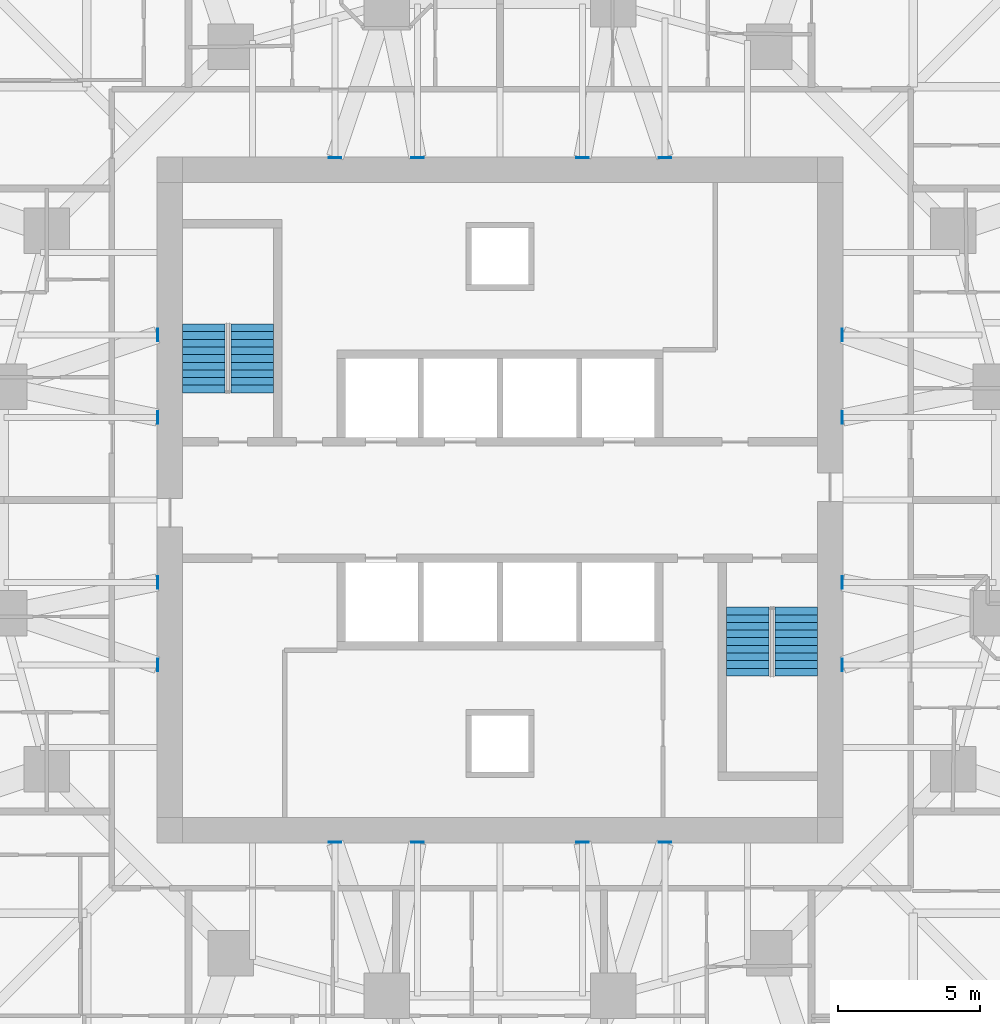
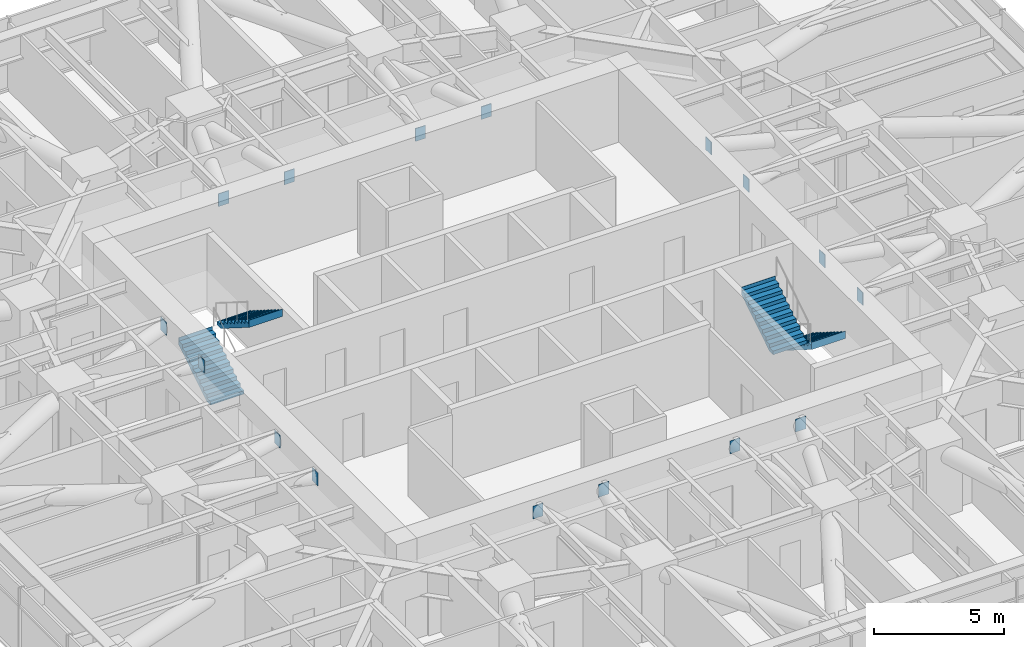
# One storey, part 16 of 17: 16 discrete accessories, 4 stair flights, 2 elements without a shape of their own.
"""IFC4 building model written with IfcOpenShell, lengths in metres."""

from ifc_helpers import new_model, si_unit, direction, frame, origin, origin_2d, place, context, subcontext, project, spatial, polyline, rectangle, outline, extrude, material, layer, layer_set, type_object, element, aggregate, save


model = new_model("IFC4")

# Units and contexts
model_context = context("Model", 3, precision=1e-05, world=origin(), true_north=direction((0.0, 1.0)))
body_context = subcontext(model_context, "Body", "Model", "MODEL_VIEW")
ifc_project = project(units=[si_unit("LENGTHUNIT", "METRE"), si_unit("AREAUNIT", "SQUARE_METRE"), si_unit("VOLUMEUNIT", "CUBIC_METRE"), si_unit("PLANEANGLEUNIT", "RADIAN"), si_unit("MASSUNIT", "GRAM", prefix="KILO")], contexts=[model_context])

# Site, building, storey
site_placement = place(None, origin())
site = spatial("IfcSite", under=ifc_project, at=site_placement, CompositionType="ELEMENT")
building_placement = place(site_placement, origin())
building = spatial("IfcBuilding", under=site, at=building_placement, Name="Torsade Residences", CompositionType="ELEMENT")
storey_placement = place(building_placement, frame((0.0, 0.0, 38.800048828125)))
storey = spatial("IfcBuildingStorey", under=building, at=storey_placement, Name="L10", CompositionType="ELEMENT", Elevation=38.800048828125)

# Stair, stair flights
ifc_material_1 = material(Name="Precast concrete 40 MPa", Category="concrete")
stair_type = type_object("IfcStairType", Name="HALF-TURN FIRE STAIR 1500x3400", PredefinedType="HALF_TURN_STAIR", material=ifc_material_1)
stair_1_placement = place(storey_placement, origin())
stair_1 = element("IfcStair", 1, at=stair_1_placement, inside=storey, type_object=stair_type, Name="Stair ST1 L10", PredefinedType="HALF_TURN_STAIR")
ifc_material_2 = material(Name="Precast concrete 40 MPa", Category="concrete")
stair_flight_type = type_object("IfcStairFlightType", Name="PRECAST STAIR FLIGHT 1500x1700", PredefinedType="STRAIGHT", material=ifc_material_2)
stair_flight_1_placement = place(storey_placement, frame((29.550048828125, 33.780029296875, 0.0), z_axis=(0.0, 0.0, 1.0), x_axis=(0.0, 1.0, 0.0)))
stair_flight_1 = element("IfcStairFlight", 2, at=stair_flight_1_placement, type_object=stair_flight_type, Name="ST1 flight 1", NumberOfRisers=10, NumberOfTreads=9, PredefinedType="STRAIGHT", RiserHeight=0.17, TreadLength=0.27, context=body_context, shape_type="SweptSolid", body=[
    extrude(outline(polyline([(0.0, 0.0), (0.0, 0.169921875), (0.27001953125, 0.169921875), (0.27001953125, 0.340087890625), (0.5400390625, 0.340087890625), (0.5400390625, 0.510009765625), (0.81005859375, 0.510009765625), (0.81005859375, 0.679931640625), (1.080078125, 0.679931640625), (1.080078125, 0.85009765625), (1.35009765625, 0.85009765625), (1.35009765625, 1.02001953125), (1.6201171875, 1.02001953125), (1.6201171875, 1.18994140625), (1.889892578125, 1.18994140625), (1.889892578125, 1.360107421875), (2.159912109375, 1.360107421875), (2.159912109375, 1.530029296875), (2.429931640625, 1.530029296875), (2.429931640625, 1.699951171875), (2.43994140625, 1.699951171875), (2.43994140625, 1.352783203125), (2.429931640625, 1.352783203125), (0.28125, 0.0), (0.0, 0.0)])), frame((0.0, 0.75, 0.0), z_axis=(0.0, -1.0, 0.0), x_axis=(1.0, 0.0, 0.0)), (0.0, 0.0, 1.0), 1.5),
])
stair_flight_2_placement = place(storey_placement, frame((31.25, 36.2099609375, 1.699951171875), z_axis=(0.0, 0.0, 1.0), x_axis=(0.0, -1.0, 0.0)))
stair_flight_2 = element("IfcStairFlight", 3, at=stair_flight_2_placement, type_object=stair_flight_type, Name="ST1 flight 2", NumberOfRisers=10, NumberOfTreads=9, PredefinedType="STRAIGHT", RiserHeight=0.17, TreadLength=0.27, context=body_context, shape_type="SweptSolid", body=[
    extrude(outline(polyline([(0.0, 0.0), (0.0, 0.169921875), (0.27001953125, 0.169921875), (0.27001953125, 0.340087890625), (0.5400390625, 0.340087890625), (0.5400390625, 0.510009765625), (0.81005859375, 0.510009765625), (0.81005859375, 0.679931640625), (1.080078125, 0.679931640625), (1.080078125, 0.85009765625), (1.35009765625, 0.85009765625), (1.35009765625, 1.02001953125), (1.6201171875, 1.02001953125), (1.6201171875, 1.18994140625), (1.889892578125, 1.18994140625), (1.889892578125, 1.360107421875), (2.159912109375, 1.360107421875), (2.159912109375, 1.530029296875), (2.429931640625, 1.530029296875), (2.429931640625, 1.699951171875), (2.43994140625, 1.699951171875), (2.43994140625, 1.352783203125), (2.429931640625, 1.352783203125), (0.28125, 0.0), (0.0, 0.0)])), frame((0.0, 0.75, 0.0), z_axis=(0.0, -1.0, 0.0), x_axis=(1.0, 0.0, 0.0)), (0.0, 0.0, 1.0), 1.5),
])
aggregate(stair_1, [stair_flight_1, stair_flight_2])

stair_2_placement = place(storey_placement, origin())
stair_2 = element("IfcStair", 4, at=stair_2_placement, inside=storey, type_object=stair_type, Name="Stair ST2 L10", PredefinedType="HALF_TURN_STAIR")
stair_flight_3_placement = place(storey_placement, frame((50.449951171875, 26.219970703125, 0.0), z_axis=(0.0, 0.0, 1.0), x_axis=(0.0, -1.0, 0.0)))
stair_flight_3 = element("IfcStairFlight", 5, at=stair_flight_3_placement, type_object=stair_flight_type, Name="ST2 flight 1", NumberOfRisers=10, NumberOfTreads=9, PredefinedType="STRAIGHT", RiserHeight=0.17, TreadLength=0.27, context=body_context, shape_type="SweptSolid", body=[
    extrude(outline(polyline([(0.0, 0.0), (0.0, 0.169921875), (0.27001953125, 0.169921875), (0.27001953125, 0.340087890625), (0.5400390625, 0.340087890625), (0.5400390625, 0.510009765625), (0.81005859375, 0.510009765625), (0.81005859375, 0.679931640625), (1.080078125, 0.679931640625), (1.080078125, 0.85009765625), (1.35009765625, 0.85009765625), (1.35009765625, 1.02001953125), (1.6201171875, 1.02001953125), (1.6201171875, 1.18994140625), (1.889892578125, 1.18994140625), (1.889892578125, 1.360107421875), (2.159912109375, 1.360107421875), (2.159912109375, 1.530029296875), (2.429931640625, 1.530029296875), (2.429931640625, 1.699951171875), (2.43994140625, 1.699951171875), (2.43994140625, 1.352783203125), (2.429931640625, 1.352783203125), (0.28125, 0.0), (0.0, 0.0)])), frame((0.0, 0.75, 0.0), z_axis=(0.0, -1.0, 0.0), x_axis=(1.0, 0.0, 0.0)), (0.0, 0.0, 1.0), 1.5),
])
stair_flight_4_placement = place(storey_placement, frame((48.75, 23.7900390625, 1.699951171875), z_axis=(0.0, 0.0, 1.0), x_axis=(0.0, 1.0, 0.0)))
stair_flight_4 = element("IfcStairFlight", 6, at=stair_flight_4_placement, type_object=stair_flight_type, Name="ST2 flight 2", NumberOfRisers=10, NumberOfTreads=9, PredefinedType="STRAIGHT", RiserHeight=0.17, TreadLength=0.27, context=body_context, shape_type="SweptSolid", body=[
    extrude(outline(polyline([(0.0, 0.0), (0.0, 0.169921875), (0.27001953125, 0.169921875), (0.27001953125, 0.340087890625), (0.5400390625, 0.340087890625), (0.5400390625, 0.510009765625), (0.81005859375, 0.510009765625), (0.81005859375, 0.679931640625), (1.080078125, 0.679931640625), (1.080078125, 0.85009765625), (1.35009765625, 0.85009765625), (1.35009765625, 1.02001953125), (1.6201171875, 1.02001953125), (1.6201171875, 1.18994140625), (1.889892578125, 1.18994140625), (1.889892578125, 1.360107421875), (2.159912109375, 1.360107421875), (2.159912109375, 1.530029296875), (2.429931640625, 1.530029296875), (2.429931640625, 1.699951171875), (2.43994140625, 1.699951171875), (2.43994140625, 1.352783203125), (2.429931640625, 1.352783203125), (0.28125, 0.0), (0.0, 0.0)])), frame((0.0, 0.75, 0.0), z_axis=(0.0, -1.0, 0.0), x_axis=(1.0, 0.0, 0.0)), (0.0, 0.0, 1.0), 1.5),
])
aggregate(stair_2, [stair_flight_3, stair_flight_4])

# Discrete accessories
ifc_material_3 = material(Name="Steel grade 350", Category="steel")
ifc_layer = layer(ifc_material_3, 0.031982421875)
ifc_layer_set = layer_set([ifc_layer], Name="Steel grade 350")
discrete_accessory_type = type_object("IfcDiscreteAccessoryType", Name="CAST-IN PLATE 450x600x32", PredefinedType="ANCHORPLATE", material=ifc_layer_set)
for number, where, z_axis, x_axis, name in (
    (7, (52.083984375, 27.08740234375, 2.48583984375), (0.0, 0.0, 1.0), (1.0, 0.0, 0.0), "Cast-in plate PB1 PB-L11-IR01IE03"),
    (8, (52.083984375, 24.175048828125, 2.48583984375), (0.0, 0.0, 1.0), (1.0, 0.0, 0.0), "Cast-in plate PB1 PB-L11-IR01IE02"),
    (9, (52.083984375, 32.91259765625, 2.48583984375), (0.0, 0.0, 1.0), (1.0, 0.0, 0.0), "Cast-in plate PB1 PB-L11-IR02IE05"),
    (10, (52.083984375, 35.824951171875, 2.48583984375), (0.0, 0.0, 1.0), (1.0, 0.0, 0.0), "Cast-in plate PB1 PB-L11-IR02IE06"),
):
    element("IfcDiscreteAccessory", number, at=place(storey_placement, frame(where, z_axis=z_axis, x_axis=x_axis)), inside=storey, type_object=discrete_accessory_type, Name=name, PredefinedType="ANCHORPLATE", context=body_context, shape_type="SweptSolid", body=[
        extrude(rectangle(XDim=0.031982421875, YDim=0.449951171875, at=origin_2d()), origin(), (0.0, 0.0, 1.0), 0.60009765625),
    ])
for number, where, z_axis, x_axis, name in (
    (11, (42.91259765625, 42.083984375, 2.48583984375), (0.0, 0.0, 1.0), (1.0, 0.0, 0.0), "Cast-in plate PB1 PB-L11-IR05IN05"),
    (12, (45.824951171875, 42.083984375, 2.48583984375), (0.0, 0.0, 1.0), (1.0, 0.0, 0.0), "Cast-in plate PB1 PB-L11-IR05IN06"),
    (13, (37.08740234375, 42.083984375, 2.48583984375), (0.0, 0.0, 1.0), (1.0, 0.0, 0.0), "Cast-in plate PB1 PB-L11-IR06IN03"),
    (14, (34.175048828125, 42.083984375, 2.48583984375), (0.0, 0.0, 1.0), (1.0, 0.0, 0.0), "Cast-in plate PB1 PB-L11-IR06IN02"),
):
    element("IfcDiscreteAccessory", number, at=place(storey_placement, frame(where, z_axis=z_axis, x_axis=x_axis)), inside=storey, type_object=discrete_accessory_type, Name=name, PredefinedType="ANCHORPLATE", context=body_context, shape_type="SweptSolid", body=[
        extrude(rectangle(XDim=0.449951171875, YDim=0.031982421875, at=origin_2d()), origin(), (0.0, 0.0, 1.0), 0.60009765625),
    ])
for number, where, z_axis, x_axis, name in (
    (15, (27.916015625, 32.91259765625, 2.48583984375), (0.0, 0.0, 1.0), (1.0, 0.0, 0.0), "Cast-in plate PB1 PB-L11-IR09IW03"),
    (16, (27.916015625, 35.824951171875, 2.48583984375), (0.0, 0.0, 1.0), (1.0, 0.0, 0.0), "Cast-in plate PB1 PB-L11-IR09IW02"),
    (17, (27.916015625, 27.08740234375, 2.48583984375), (0.0, 0.0, 1.0), (1.0, 0.0, 0.0), "Cast-in plate PB1 PB-L11-IR10IW05"),
    (18, (27.916015625, 24.175048828125, 2.48583984375), (0.0, 0.0, 1.0), (1.0, 0.0, 0.0), "Cast-in plate PB1 PB-L11-IR10IW06"),
):
    element("IfcDiscreteAccessory", number, at=place(storey_placement, frame(where, z_axis=z_axis, x_axis=x_axis)), inside=storey, type_object=discrete_accessory_type, Name=name, PredefinedType="ANCHORPLATE", context=body_context, shape_type="SweptSolid", body=[
        extrude(rectangle(XDim=0.031982421875, YDim=0.449951171875, at=origin_2d()), origin(), (0.0, 0.0, 1.0), 0.60009765625),
    ])
for number, where, z_axis, x_axis, name in (
    (19, (37.08740234375, 17.916015625, 2.48583984375), (0.0, 0.0, 1.0), (1.0, 0.0, 0.0), "Cast-in plate PB1 PB-L11-IR13IS05"),
    (20, (34.175048828125, 17.916015625, 2.48583984375), (0.0, 0.0, 1.0), (1.0, 0.0, 0.0), "Cast-in plate PB1 PB-L11-IR13IS06"),
    (21, (42.91259765625, 17.916015625, 2.48583984375), (0.0, 0.0, 1.0), (1.0, 0.0, 0.0), "Cast-in plate PB1 PB-L11-IR14IS03"),
    (22, (45.824951171875, 17.916015625, 2.48583984375), (0.0, 0.0, 1.0), (1.0, 0.0, 0.0), "Cast-in plate PB1 PB-L11-IR14IS02"),
):
    element("IfcDiscreteAccessory", number, at=place(storey_placement, frame(where, z_axis=z_axis, x_axis=x_axis)), inside=storey, type_object=discrete_accessory_type, Name=name, PredefinedType="ANCHORPLATE", context=body_context, shape_type="SweptSolid", body=[
        extrude(rectangle(XDim=0.449951171875, YDim=0.031982421875, at=origin_2d()), origin(), (0.0, 0.0, 1.0), 0.60009765625),
    ])

save(model, "model.ifc")
